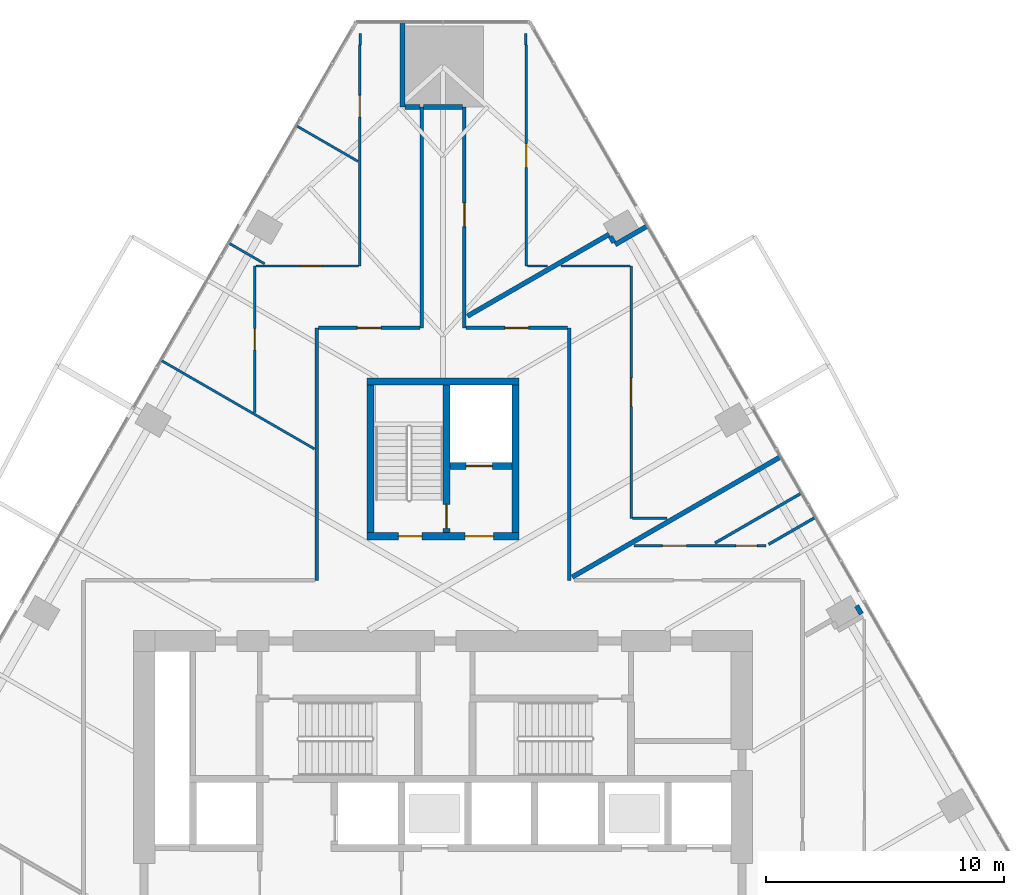
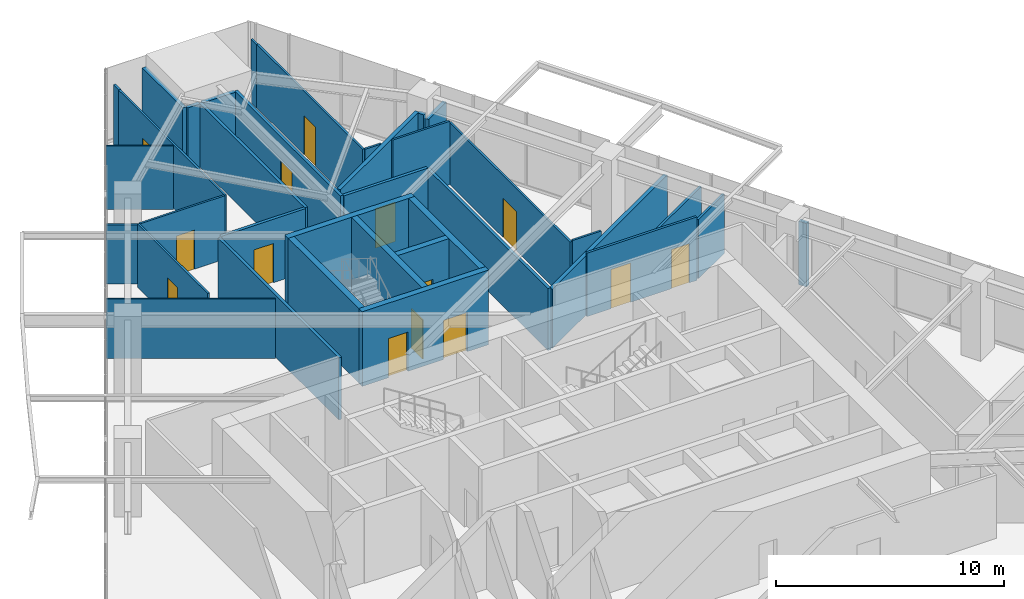
# One storey, part 19 of 22: 36 walls, 14 doors, 14 openings.
"""IFC4 building model written with IfcOpenShell, lengths in metres."""

from ifc_helpers import new_model, si_unit, direction, frame, frame_2d, origin, place, context, subcontext, project, spatial, rectangle, extrude, material, layer, layer_set, type_object, element, fill, save


model = new_model("IFC4")

# Units and contexts
model_context = context("Model", 3, precision=1e-05, world=origin(), true_north=direction((0.0, 1.0)))
body_context = subcontext(model_context, "Body", "Model", "MODEL_VIEW")
ifc_project = project(units=[si_unit("LENGTHUNIT", "METRE"), si_unit("AREAUNIT", "SQUARE_METRE"), si_unit("VOLUMEUNIT", "CUBIC_METRE"), si_unit("PLANEANGLEUNIT", "RADIAN"), si_unit("MASSUNIT", "GRAM", prefix="KILO")], contexts=[model_context])

# Site, building, storey
site_placement = place(None, origin())
site = spatial("IfcSite", under=ifc_project, at=site_placement, CompositionType="ELEMENT")
building_placement = place(site_placement, origin())
building = spatial("IfcBuilding", under=site, at=building_placement, Name="Firuza Gate Tower and Library", CompositionType="ELEMENT")
storey_placement = place(building_placement, frame((0.0, 0.0, 111.39990234375)))
storey = spatial("IfcBuildingStorey", under=building, at=storey_placement, Name="L25", CompositionType="ELEMENT", Elevation=111.39990234375)

# Wall, openings, doors
ifc_material_1 = material(Name="Concrete C80/95", Category="concrete")
ifc_layer_1 = layer(ifc_material_1, 0.300048828125)
ifc_layer_set_1 = layer_set([ifc_layer_1], Name="Core wall 300 C80/95")
wall_type_1 = type_object("IfcWallType", Name="Core wall 300 C80/95", PredefinedType="SHEAR", material=ifc_layer_set_1)
wall_1_placement = place(storey_placement, frame((71.800048828125, 87.949951171875, 0.0), z_axis=(0.0, 0.0, 1.0), x_axis=(1.0, 0.0, 0.0)))
wall_1 = element("IfcWall", 1, at=wall_1_placement, inside=storey, type_object=wall_type_1, Name="Core wall L25 34", PredefinedType="SHEAR", context=body_context, shape_type="SweptSolid", body=[
    extrude(rectangle(XDim=6.39990234375, YDim=0.300048828125, at=frame_2d((3.199951171875, 0.0))), origin(), (0.0, 0.0, 1.0), 4.0),
])
opening_1_placement = place(wall_1_placement, frame((1.324951171875, 0.0, 0.0)))
opening_1 = element("IfcOpeningElement", 2, at=opening_1_placement, cuts=wall_1, Name="Opening L25-K17", PredefinedType="OPENING", context=body_context, shape_type="SweptSolid", body=[
    extrude(rectangle(XDim=1.0, YDim=2.10009765625, at=frame_2d((0.5, 1.050048828125))), frame((0.0, 0.16015625, 0.0), z_axis=(0.0, -1.0, 0.0), x_axis=(1.0, 0.0, 0.0)), (0.0, 0.0, 1.0), 0.320068359375),
])
opening_2_placement = place(wall_1_placement, frame((4.125, 0.0, 0.0)))
opening_2 = element("IfcOpeningElement", 3, at=opening_2_placement, cuts=wall_1, Name="Opening L25-K19", PredefinedType="OPENING", context=body_context, shape_type="SweptSolid", body=[
    extrude(rectangle(XDim=1.199951171875, YDim=2.10009765625, at=frame_2d((0.60009765625, 1.050048828125))), frame((0.0, 0.16015625, 0.0), z_axis=(0.0, -1.0, 0.0), x_axis=(1.0, 0.0, 0.0)), (0.0, 0.0, 1.0), 0.320068359375),
])
ifc_material_2 = material(Name="Steel", Category="steel")
door_type_1 = type_object("IfcDoorType", Name="Fire door 1000x2100 FD90", OperationType="NOTDEFINED", PredefinedType="DOOR", material=ifc_material_2)
door_1_placement = place(opening_1_placement, origin())
door_1 = element("IfcDoor", 4, at=door_1_placement, inside=storey, type_object=door_type_1, Name="Door L25-K17", OperationType="SINGLE_SWING_RIGHT", OverallHeight=2.10009765625, OverallWidth=1.0, PredefinedType="DOOR", context=body_context, shape_type="SweptSolid", body=[
    extrude(rectangle(XDim=1.0, YDim=2.10009765625, at=frame_2d((0.5, 1.050048828125))), frame((0.0, 0.02490234375, 0.0), z_axis=(0.0, -1.0, 0.0), x_axis=(1.0, 0.0, 0.0)), (0.0, 0.0, 1.0), 0.050048828125),
])
fill(opening_1, door_1)
ifc_material_3 = material(Name="Steel", Category="steel")
door_type_2 = type_object("IfcDoorType", Name="Fire door 1200x2100 FD30S", OperationType="NOTDEFINED", PredefinedType="DOOR", material=ifc_material_3)
door_2_placement = place(opening_2_placement, origin())
door_2 = element("IfcDoor", 5, at=door_2_placement, inside=storey, type_object=door_type_2, Name="Door L25-K19", OperationType="SINGLE_SWING_RIGHT", OverallHeight=2.10009765625, OverallWidth=1.199951171875, PredefinedType="DOOR", context=body_context, shape_type="SweptSolid", body=[
    extrude(rectangle(XDim=1.199951171875, YDim=2.10009765625, at=frame_2d((0.60009765625, 1.050048828125))), frame((0.0, 0.02490234375, 0.0), z_axis=(0.0, -1.0, 0.0), x_axis=(1.0, 0.0, 0.0)), (0.0, 0.0, 1.0), 0.050048828125),
])
fill(opening_2, door_2)

# Walls
wall_2_placement = place(storey_placement, frame((71.800048828125, 94.449951171875, 0.0), z_axis=(0.0, 0.0, 1.0), x_axis=(1.0, 0.0, 0.0)))
element("IfcWall", 6, at=wall_2_placement, inside=storey, type_object=wall_type_1, Name="Core wall L25 35", PredefinedType="SHEAR", context=body_context, shape_type="SweptSolid", body=[
    extrude(rectangle(XDim=6.39990234375, YDim=0.300048828125, at=frame_2d((3.199951171875, 0.0))), origin(), (0.0, 0.0, 1.0), 4.0),
])
for number, where, z_axis, x_axis, name in (
    (7, (71.949951171875, 88.10009765625, 0.0), (0.0, 0.0, 1.0), (0.0, 1.0, 0.0), "Core wall L25 36"),
    (8, (78.050048828125, 88.10009765625, 0.0), (0.0, 0.0, 1.0), (0.0, 1.0, 0.0), "Core wall L25 37"),
):
    element("IfcWall", number, at=place(storey_placement, frame(where, z_axis=z_axis, x_axis=x_axis)), inside=storey, type_object=wall_type_1, Name=name, PredefinedType="SHEAR", context=body_context, shape_type="SweptSolid", body=[
        extrude(rectangle(XDim=6.199951171875, YDim=0.300048828125, at=frame_2d((3.10009765625, 0.0))), origin(), (0.0, 0.0, 1.0), 4.0),
    ])

# Wall, opening, door
wall_3_placement = place(storey_placement, frame((75.300048828125, 90.89990234375, 0.0), z_axis=(0.0, 0.0, 1.0), x_axis=(1.0, 0.0, 0.0)))
wall_3 = element("IfcWall", 9, at=wall_3_placement, inside=storey, type_object=wall_type_1, Name="Core wall L25 38", PredefinedType="SHEAR", context=body_context, shape_type="SweptSolid", body=[
    extrude(rectangle(XDim=2.599853515625, YDim=0.300048828125, at=frame_2d((1.2998046875, 0.0))), origin(), (0.0, 0.0, 1.0), 4.0),
])
opening_3_placement = place(wall_3_placement, frame((0.675048828125, 0.0, 0.0)))
opening_3 = element("IfcOpeningElement", 10, at=opening_3_placement, cuts=wall_3, Name="Opening LD-SV1-L25", PredefinedType="OPENING", context=body_context, shape_type="SweptSolid", body=[
    extrude(rectangle(XDim=1.10009765625, YDim=2.10009765625, at=frame_2d((0.550048828125, 1.050048828125))), frame((0.0, 0.16015625, 0.0), z_axis=(0.0, -1.0, 0.0), x_axis=(1.0, 0.0, 0.0)), (0.0, 0.0, 1.0), 0.320068359375),
])
ifc_material_4 = material(Name="Stainless steel", Category="steel")
door_type_3 = type_object("IfcDoorType", Name="Lift landing door 1100x2100", OperationType="DOUBLE_DOOR_SLIDING", PredefinedType="DOOR", material=ifc_material_4)
door_3_placement = place(opening_3_placement, origin())
door_3 = element("IfcDoor", 11, at=door_3_placement, inside=storey, type_object=door_type_3, Name="Landing door SV1 L25", OperationType="DOUBLE_DOOR_SLIDING", OverallHeight=2.10009765625, OverallWidth=1.10009765625, PredefinedType="DOOR", context=body_context, shape_type="SweptSolid", body=[
    extrude(rectangle(XDim=1.10009765625, YDim=2.10009765625, at=frame_2d((0.550048828125, 1.050048828125))), frame((0.0, 0.02490234375, 0.0), z_axis=(0.0, -1.0, 0.0), x_axis=(1.0, 0.0, 0.0)), (0.0, 0.0, 1.0), 0.050048828125),
])
fill(opening_3, door_3)

wall_4_placement = place(storey_placement, frame((75.14990234375, 88.10009765625, 0.0), z_axis=(0.0, 0.0, 1.0), x_axis=(0.0, 1.0, 0.0)))
wall_4 = element("IfcWall", 12, at=wall_4_placement, inside=storey, type_object=wall_type_1, Name="Core wall L25 39", PredefinedType="SHEAR", context=body_context, shape_type="SweptSolid", body=[
    extrude(rectangle(XDim=6.199951171875, YDim=0.300048828125, at=frame_2d((3.10009765625, 0.0))), origin(), (0.0, 0.0, 1.0), 4.0),
])
opening_4_placement = place(wall_4_placement, frame((0.18505859375, 0.0, 0.0)))
opening_4 = element("IfcOpeningElement", 13, at=opening_4_placement, cuts=wall_4, Name="Opening L25-K18", PredefinedType="OPENING", context=body_context, shape_type="SweptSolid", body=[
    extrude(rectangle(XDim=1.0, YDim=2.10009765625, at=frame_2d((0.5, 1.050048828125))), frame((0.0, 0.16015625, 0.0), z_axis=(0.0, -1.0, 0.0), x_axis=(1.0, 0.0, 0.0)), (0.0, 0.0, 1.0), 0.320068359375),
])
door_4_placement = place(opening_4_placement, origin())
door_4 = element("IfcDoor", 14, at=door_4_placement, inside=storey, type_object=door_type_1, Name="Door L25-K18", OperationType="SINGLE_SWING_LEFT", OverallHeight=2.10009765625, OverallWidth=1.0, PredefinedType="DOOR", context=body_context, shape_type="SweptSolid", body=[
    extrude(rectangle(XDim=1.0, YDim=2.10009765625, at=frame_2d((0.5, 1.050048828125))), frame((0.0, 0.02490234375, 0.0), z_axis=(0.0, -1.0, 0.0), x_axis=(1.0, 0.0, 0.0)), (0.0, 0.0, 1.0), 0.050048828125),
])
fill(opening_4, door_4)

ifc_material_5 = material(Name="Gypsum board partition")
ifc_layer_2 = layer(ifc_material_5, 0.14990234375)
ifc_layer_set_2 = layer_set([ifc_layer_2], Name="Corridor wall 150 double board on steel studs")
wall_type_2 = type_object("IfcWallType", Name="Corridor wall 150 double board on steel studs", PredefinedType="PARTITIONING", material=ifc_layer_set_2)
wall_5_placement = place(storey_placement, frame((69.775390625, 96.699951171875, 0.0), z_axis=(0.0, 0.0, 1.0), x_axis=(1.0, 0.0, 0.0)))
wall_5 = element("IfcWall", 15, at=wall_5_placement, inside=storey, type_object=wall_type_2, Name="f:L25:w006", PredefinedType="PARTITIONING", context=body_context, shape_type="SweptSolid", body=[
    extrude(rectangle(XDim=4.24951171875, YDim=0.14990234375, at=frame_2d((2.124755859375, 0.0))), origin(), (0.0, 0.0, 1.0), 3.400146484375),
])
opening_5_placement = place(wall_5_placement, frame((1.624755859375, 0.0, 0.0)))
opening_5 = element("IfcOpeningElement", 16, at=opening_5_placement, cuts=wall_5, Name="Opening L25-08", PredefinedType="OPENING", context=body_context, shape_type="SweptSolid", body=[
    extrude(rectangle(XDim=1.0, YDim=2.10009765625, at=frame_2d((0.5, 1.050048828125))), frame((0.0, 0.0849609375, 0.0), z_axis=(0.0, -1.0, 0.0), x_axis=(1.0, 0.0, 0.0)), (0.0, 0.0, 1.0), 0.169921875),
])
ifc_material_6 = material(Name="Steel door and timber leaf", Category="steel")
door_type_4 = type_object("IfcDoorType", Name="Fire door 1000 x 2100 steel frame, timber leaf", OperationType="NOTDEFINED", PredefinedType="DOOR", material=ifc_material_6)
door_5_placement = place(opening_5_placement, origin())
door_5 = element("IfcDoor", 17, at=door_5_placement, inside=storey, type_object=door_type_4, Name="f:L25:d008", OperationType="SINGLE_SWING_RIGHT", OverallHeight=2.10009765625, OverallWidth=1.0, PredefinedType="DOOR", context=body_context, shape_type="SweptSolid", body=[
    extrude(rectangle(XDim=1.0, YDim=2.10009765625, at=frame_2d((0.5, 1.050048828125))), frame((0.0, 0.02490234375, 0.0), z_axis=(0.0, -1.0, 0.0), x_axis=(1.0, 0.0, 0.0)), (0.0, 0.0, 1.0), 0.050048828125),
])
fill(opening_5, door_5)

wall_6_placement = place(storey_placement, frame((80.22509765625, 96.699951171875, 0.0), z_axis=(0.0, 0.0, 1.0), x_axis=(-1.0, 0.0, 0.0)))
wall_6 = element("IfcWall", 18, at=wall_6_placement, inside=storey, type_object=wall_type_2, Name="f:L25:w007", PredefinedType="PARTITIONING", context=body_context, shape_type="SweptSolid", body=[
    extrude(rectangle(XDim=4.25, YDim=0.14990234375, at=frame_2d((2.125, 0.0))), origin(), (0.0, 0.0, 1.0), 3.400146484375),
])
opening_6_placement = place(wall_6_placement, frame((1.625, 0.0, 0.0)))
opening_6 = element("IfcOpeningElement", 19, at=opening_6_placement, cuts=wall_6, Name="Opening L25-09", PredefinedType="OPENING", context=body_context, shape_type="SweptSolid", body=[
    extrude(rectangle(XDim=1.0, YDim=2.10009765625, at=frame_2d((0.5, 1.050048828125))), frame((0.0, 0.0849609375, 0.0), z_axis=(0.0, -1.0, 0.0), x_axis=(1.0, 0.0, 0.0)), (0.0, 0.0, 1.0), 0.169921875),
])
door_6_placement = place(opening_6_placement, origin())
door_6 = element("IfcDoor", 20, at=door_6_placement, inside=storey, type_object=door_type_4, Name="f:L25:d009", OperationType="SINGLE_SWING_RIGHT", OverallHeight=2.10009765625, OverallWidth=1.0, PredefinedType="DOOR", context=body_context, shape_type="SweptSolid", body=[
    extrude(rectangle(XDim=1.0, YDim=2.10009765625, at=frame_2d((0.5, 1.050048828125))), frame((0.0, 0.02490234375, 0.0), z_axis=(0.0, -1.0, 0.0), x_axis=(1.0, 0.0, 0.0)), (0.0, 0.0, 1.0), 0.050048828125),
])
fill(opening_6, door_6)

# Wall
wall_7_placement = place(storey_placement, frame((80.300048828125, 86.10009765625, 0.0), z_axis=(0.0, 0.0, 1.0), x_axis=(0.0, 1.0, 0.0)))
element("IfcWall", 21, at=wall_7_placement, inside=storey, type_object=wall_type_2, Name="f:L25:w035", PredefinedType="PARTITIONING", context=body_context, shape_type="SweptSolid", body=[
    extrude(rectangle(XDim=10.599853515625, YDim=0.14990234375, at=frame_2d((5.2998046875, 0.0))), origin(), (0.0, 0.0, 1.0), 3.322021484375),
])

# Wall, opening, door
wall_8_placement = place(storey_placement, frame((75.89990234375, 105.98193359375, 0.0), z_axis=(0.0, 0.0, 1.0), x_axis=(0.0, -1.0, 0.0)))
wall_8 = element("IfcWall", 22, at=wall_8_placement, inside=storey, type_object=wall_type_2, Name="f:L25:w039", PredefinedType="PARTITIONING", context=body_context, shape_type="SweptSolid", body=[
    extrude(rectangle(XDim=9.281982421875, YDim=0.14990234375, at=frame_2d((4.64111328125, 0.0))), origin(), (0.0, 0.0, 1.0), 3.400146484375),
])
opening_7_placement = place(wall_8_placement, frame((4.03125, 0.0, 0.0)))
opening_7 = element("IfcOpeningElement", 23, at=opening_7_placement, cuts=wall_8, Name="Opening L25-20", PredefinedType="OPENING", context=body_context, shape_type="SweptSolid", body=[
    extrude(rectangle(XDim=1.0, YDim=2.10009765625, at=frame_2d((0.5, 1.050048828125))), frame((0.0, 0.0849609375, 0.0), z_axis=(0.0, -1.0, 0.0), x_axis=(1.0, 0.0, 0.0)), (0.0, 0.0, 1.0), 0.169921875),
])
door_7_placement = place(opening_7_placement, origin())
door_7 = element("IfcDoor", 24, at=door_7_placement, inside=storey, type_object=door_type_4, Name="f:L25:d020", OperationType="SINGLE_SWING_RIGHT", OverallHeight=2.10009765625, OverallWidth=1.0, PredefinedType="DOOR", context=body_context, shape_type="SweptSolid", body=[
    extrude(rectangle(XDim=1.0, YDim=2.10009765625, at=frame_2d((0.5, 1.050048828125))), frame((0.0, 0.02490234375, 0.0), z_axis=(0.0, -1.0, 0.0), x_axis=(1.0, 0.0, 0.0)), (0.0, 0.0, 1.0), 0.050048828125),
])
fill(opening_7, door_7)

# Walls
wall_9_placement = place(storey_placement, frame((74.10009765625, 96.699951171875, 0.0), z_axis=(0.0, 0.0, 1.0), x_axis=(0.0, 1.0, 0.0)))
element("IfcWall", 25, at=wall_9_placement, inside=storey, type_object=wall_type_2, Name="f:L25:w040", PredefinedType="PARTITIONING", context=body_context, shape_type="SweptSolid", body=[
    extrude(rectangle(XDim=9.282470703125, YDim=0.14990234375, at=frame_2d((4.64111328125, 0.0))), origin(), (0.0, 0.0, 1.0), 3.400146484375),
])
wall_10_placement = place(storey_placement, frame((69.699951171875, 86.10009765625, 0.0), z_axis=(0.0, 0.0, 1.0), x_axis=(0.0, 1.0, 0.0)))
element("IfcWall", 26, at=wall_10_placement, inside=storey, type_object=wall_type_2, Name="f:L25:w044", PredefinedType="PARTITIONING", context=body_context, shape_type="SweptSolid", body=[
    extrude(rectangle(XDim=10.599365234375, YDim=0.14990234375, at=frame_2d((5.2998046875, 0.0))), origin(), (0.0, 0.0, 1.0), 3.322021484375),
])
ifc_material_7 = material(Name="Gypsum board partition")
ifc_layer_3 = layer(ifc_material_7, 0.199951171875)
ifc_layer_set_3 = layer_set([ifc_layer_3], Name="Demising wall 200 acoustic double stud")
wall_type_3 = type_object("IfcWallType", Name="Demising wall 200 acoustic double stud", PredefinedType="PARTITIONING", material=ifc_layer_set_3)
wall_11_placement = place(storey_placement, frame((73.400390625, 105.98193359375, 0.0), z_axis=(0.0, 0.0, 1.0), x_axis=(1.0, 0.0, 0.0)))
element("IfcWall", 27, at=wall_11_placement, inside=storey, type_object=wall_type_3, Name="f:L25:w010", PredefinedType="PARTITIONING", context=body_context, shape_type="SweptSolid", body=[
    extrude(rectangle(XDim=0.62451171875, YDim=0.199951171875, at=frame_2d((0.312255859375, 0.0))), origin(), (0.0, 0.0, 1.0), 3.400146484375),
])
wall_12_placement = place(storey_placement, frame((80.4267578125, 86.234619140625, 0.0), z_axis=(0.0, 0.0, 1.0), x_axis=(0.8660229921, 0.500004177138, 0.0)))
element("IfcWall", 28, at=wall_12_placement, inside=storey, type_object=wall_type_3, Name="f:L25:w021", PredefinedType="PARTITIONING", context=body_context, shape_type="SweptSolid", body=[
    extrude(rectangle(XDim=10.10205078125, YDim=0.199951171875, at=frame_2d((5.051025390625, 0.0))), origin(), (0.0, 0.0, 1.0), 3.1650390625),
])
wall_13_placement = place(storey_placement, frame((82.228759765625, 100.198486328125, 0.0), z_axis=(0.0, 0.0, 1.0), x_axis=(0.866086524807, 0.499894120338, 0.0)))
element("IfcWall", 29, at=wall_13_placement, inside=storey, type_object=wall_type_3, Name="f:L25:w022", PredefinedType="PARTITIONING", context=body_context, shape_type="SweptSolid", body=[
    extrude(rectangle(XDim=1.559326171875, YDim=0.199951171875, at=frame_2d((0.77978515625, 0.0))), origin(), (0.0, 0.0, 1.0), 3.1650390625),
])
wall_14_placement = place(storey_placement, frame((76.027099609375, 97.1953125, 0.0), z_axis=(0.0, 0.0, 1.0), x_axis=(0.866030564923, 0.49999106054, 0.0)))
element("IfcWall", 30, at=wall_14_placement, inside=storey, type_object=wall_type_3, Name="f:L25:w023", PredefinedType="PARTITIONING", context=body_context, shape_type="SweptSolid", body=[
    extrude(rectangle(XDim=6.871337890625, YDim=0.199951171875, at=frame_2d((3.435546875, 0.0))), origin(), (0.0, 0.0, 1.0), 3.400146484375),
])
wall_15_placement = place(storey_placement, frame((73.300048828125, 105.98291015625, 0.0), z_axis=(0.0, 0.0, 1.0), x_axis=(0.0, 1.0, 0.0)))
element("IfcWall", 31, at=wall_15_placement, inside=storey, type_object=wall_type_3, Name="f:L25:w041", PredefinedType="PARTITIONING", context=body_context, shape_type="SweptSolid", body=[
    extrude(rectangle(XDim=3.5595703125, YDim=0.199951171875, at=frame_2d((1.77978515625, 0.0))), origin(), (0.0, 0.0, 1.0), 3.400146484375),
])
wall_16_placement = place(storey_placement, frame((92.571533203125, 84.68359375, 0.0), z_axis=(0.0, 0.0, 1.0), x_axis=(-0.500216468111, 0.865900389786, 0.0)))
element("IfcWall", 32, at=wall_16_placement, inside=storey, type_object=wall_type_3, Name="f:L25:w050", PredefinedType="PARTITIONING", context=body_context, shape_type="SweptSolid", body=[
    extrude(rectangle(XDim=0.399169921875, YDim=0.199951171875, at=frame_2d((0.19970703125, 0.0))), origin(), (0.0, 0.0, 1.0), 3.400146484375),
])
wall_17_placement = place(storey_placement, frame((82.177978515625, 100.28564453125, 0.0), z_axis=(0.0, 0.0, 1.0), x_axis=(-0.500005339912, 0.866022320763, 0.0)))
element("IfcWall", 33, at=wall_17_placement, inside=storey, type_object=wall_type_3, Name="f:L25:w052", PredefinedType="PARTITIONING", context=body_context, shape_type="SweptSolid", body=[
    extrude(rectangle(XDim=0.298828125, YDim=0.199951171875, at=frame_2d((0.1494140625, 0.0))), origin(), (0.0, 0.0, 1.0), 3.400146484375),
])
wall_18_placement = place(storey_placement, frame((74.175048828125, 105.98193359375, 0.0), z_axis=(0.0, 0.0, 1.0), x_axis=(1.0, 0.0, 0.0)))
element("IfcWall", 34, at=wall_18_placement, inside=storey, type_object=wall_type_3, Name="f:L25:w069", PredefinedType="PARTITIONING", context=body_context, shape_type="SweptSolid", body=[
    extrude(rectangle(XDim=1.6494140625, YDim=0.199951171875, at=frame_2d((0.82470703125, 0.0))), origin(), (0.0, 0.0, 1.0), 3.397216796875),
])
ifc_material_8 = material(Name="Gypsum board partition")
ifc_layer_4 = layer(ifc_material_8, 0.10009765625)
ifc_layer_set_4 = layer_set([ifc_layer_4], Name="Partition 100 gypsum board on steel studs")
wall_type_4 = type_object("IfcWallType", Name="Partition 100 gypsum board on steel studs", PredefinedType="PARTITIONING", material=ifc_layer_set_4)
wall_19_placement = place(storey_placement, frame((82.949951171875, 88.699951171875, 0.0), z_axis=(0.0, 0.0, 1.0), x_axis=(1.0, 0.0, 0.0)))
element("IfcWall", 35, at=wall_19_placement, inside=storey, type_object=wall_type_4, Name="f:L25:w005", PredefinedType="PARTITIONING", context=body_context, shape_type="SweptSolid", body=[
    extrude(rectangle(XDim=1.457763671875, YDim=0.10009765625, at=frame_2d((0.72900390625, 0.0))), origin(), (0.0, 0.0, 1.0), 3.400146484375),
])

# Wall, opening, door
wall_20_placement = place(storey_placement, frame((67.14990234375, 99.300048828125, 0.0), z_axis=(0.0, 0.0, 1.0), x_axis=(1.0, 0.0, 0.0)))
wall_20 = element("IfcWall", 36, at=wall_20_placement, inside=storey, type_object=wall_type_4, Name="f:L25:w008", PredefinedType="PARTITIONING", context=body_context, shape_type="SweptSolid", body=[
    extrude(rectangle(XDim=4.300048828125, YDim=0.10009765625, at=frame_2d((2.14990234375, 0.0))), origin(), (0.0, 0.0, 1.0), 3.400146484375),
])
opening_8_placement = place(wall_20_placement, frame((1.85693359375, 0.0, 0.0)))
opening_8 = element("IfcOpeningElement", 37, at=opening_8_placement, cuts=wall_20, Name="Opening L25-10", PredefinedType="OPENING", context=body_context, shape_type="SweptSolid", body=[
    extrude(rectangle(XDim=0.89990234375, YDim=2.10009765625, at=frame_2d((0.449951171875, 1.050048828125))), frame((0.0, 0.06005859375, 0.0), z_axis=(0.0, -1.0, 0.0), x_axis=(1.0, 0.0, 0.0)), (0.0, 0.0, 1.0), 0.1201171875),
])
ifc_material_9 = material(Name="Timber door", Category="wood")
door_type_5 = type_object("IfcDoorType", Name="Door 900 x 2100 timber leaf", OperationType="NOTDEFINED", PredefinedType="DOOR", material=ifc_material_9)
door_8_placement = place(opening_8_placement, origin())
door_8 = element("IfcDoor", 38, at=door_8_placement, inside=storey, type_object=door_type_5, Name="f:L25:d010", OperationType="SINGLE_SWING_RIGHT", OverallHeight=2.10009765625, OverallWidth=0.89990234375, PredefinedType="DOOR", context=body_context, shape_type="SweptSolid", body=[
    extrude(rectangle(XDim=0.89990234375, YDim=2.10009765625, at=frame_2d((0.449951171875, 1.050048828125))), frame((0.0, 0.02490234375, 0.0), z_axis=(0.0, -1.0, 0.0), x_axis=(1.0, 0.0, 0.0)), (0.0, 0.0, 1.0), 0.050048828125),
])
fill(opening_8, door_8)

# Wall
wall_21_placement = place(storey_placement, frame((78.550537109375, 99.300048828125, 0.0), z_axis=(0.0, 0.0, 1.0), x_axis=(1.0, 0.0, 0.0)))
element("IfcWall", 39, at=wall_21_placement, inside=storey, type_object=wall_type_4, Name="f:L25:w009", PredefinedType="PARTITIONING", context=body_context, shape_type="SweptSolid", body=[
    extrude(rectangle(XDim=0.83544921875, YDim=0.10009765625, at=frame_2d((0.417724609375, 0.0))), origin(), (0.0, 0.0, 1.0), 3.400146484375),
])

# Wall, opening, door
wall_22_placement = place(storey_placement, frame((82.89990234375, 88.699951171875, 0.0), z_axis=(0.0, 0.0, 1.0), x_axis=(0.0, 1.0, 0.0)))
wall_22 = element("IfcWall", 40, at=wall_22_placement, inside=storey, type_object=wall_type_4, Name="f:L25:w034", PredefinedType="PARTITIONING", context=body_context, shape_type="SweptSolid", body=[
    extrude(rectangle(XDim=10.60009765625, YDim=0.10009765625, at=frame_2d((5.300048828125, 0.0))), origin(), (0.0, 0.0, 1.0), 3.322021484375),
])
opening_9_placement = place(wall_22_placement, frame((4.699951171875, 0.0, 0.0)))
opening_9 = element("IfcOpeningElement", 41, at=opening_9_placement, cuts=wall_22, Name="Opening L25-18", PredefinedType="OPENING", context=body_context, shape_type="SweptSolid", body=[
    extrude(rectangle(XDim=1.199951171875, YDim=2.10009765625, at=frame_2d((0.60009765625, 1.050048828125))), frame((0.0, 0.06005859375, 0.0), z_axis=(0.0, -1.0, 0.0), x_axis=(1.0, 0.0, 0.0)), (0.0, 0.0, 1.0), 0.1201171875),
])
ifc_material_10 = material(Name="Glazed aluminium door", Category="aluminium")
door_type_6 = type_object("IfcDoorType", Name="Door 1200 x 2100 glazed double leaf", OperationType="NOTDEFINED", PredefinedType="DOOR", material=ifc_material_10)
door_9_placement = place(opening_9_placement, origin())
door_9 = element("IfcDoor", 42, at=door_9_placement, inside=storey, type_object=door_type_6, Name="f:L25:d018", OperationType="DOUBLE_DOOR_SINGLE_SWING", OverallHeight=2.10009765625, OverallWidth=1.199951171875, PredefinedType="DOOR", context=body_context, shape_type="SweptSolid", body=[
    extrude(rectangle(XDim=1.199951171875, YDim=2.10009765625, at=frame_2d((0.60009765625, 1.050048828125))), frame((0.0, 0.02490234375, 0.0), z_axis=(0.0, -1.0, 0.0), x_axis=(1.0, 0.0, 0.0)), (0.0, 0.0, 1.0), 0.050048828125),
])
fill(opening_9, door_9)

wall_23_placement = place(storey_placement, frame((78.5, 99.300537109375, 0.0), z_axis=(0.0, 0.0, 1.0), x_axis=(0.0, 1.0, 0.0)))
wall_23 = element("IfcWall", 43, at=wall_23_placement, inside=storey, type_object=wall_type_4, Name="f:L25:w036", PredefinedType="PARTITIONING", context=body_context, shape_type="SweptSolid", body=[
    extrude(rectangle(XDim=9.28173828125, YDim=0.10009765625, at=frame_2d((4.640869140625, 0.0))), origin(), (0.0, 0.0, 1.0), 3.400146484375),
])
opening_10_placement = place(wall_23_placement, frame((4.140869140625, 0.0, 0.0)))
opening_10 = element("IfcOpeningElement", 44, at=opening_10_placement, cuts=wall_23, Name="Opening L25-19", PredefinedType="OPENING", context=body_context, shape_type="SweptSolid", body=[
    extrude(rectangle(XDim=1.0, YDim=2.10009765625, at=frame_2d((0.5, 1.050048828125))), frame((0.0, 0.06005859375, 0.0), z_axis=(0.0, -1.0, 0.0), x_axis=(1.0, 0.0, 0.0)), (0.0, 0.0, 1.0), 0.1201171875),
])
ifc_material_11 = material(Name="Timber door", Category="wood")
door_type_7 = type_object("IfcDoorType", Name="Door 1000 x 2100 timber leaf", OperationType="NOTDEFINED", PredefinedType="DOOR", material=ifc_material_11)
door_10_placement = place(opening_10_placement, origin())
door_10 = element("IfcDoor", 45, at=door_10_placement, inside=storey, type_object=door_type_7, Name="f:L25:d019", OperationType="SINGLE_SWING_RIGHT", OverallHeight=2.10009765625, OverallWidth=1.0, PredefinedType="DOOR", context=body_context, shape_type="SweptSolid", body=[
    extrude(rectangle(XDim=1.0, YDim=2.10009765625, at=frame_2d((0.5, 1.050048828125))), frame((0.0, 0.02490234375, 0.0), z_axis=(0.0, -1.0, 0.0), x_axis=(1.0, 0.0, 0.0)), (0.0, 0.0, 1.0), 0.050048828125),
])
fill(opening_10, door_10)

# Walls
wall_24_placement = place(storey_placement, frame((78.48095703125, 108.5830078125, 0.0), z_axis=(0.0, 0.0, 1.0), x_axis=(0.0, 1.0, 0.0)))
element("IfcWall", 46, at=wall_24_placement, inside=storey, type_object=wall_type_4, Name="f:L25:w037", PredefinedType="PARTITIONING", context=body_context, shape_type="SweptSolid", body=[
    extrude(rectangle(XDim=0.47265625, YDim=0.10009765625, at=frame_2d((0.236328125, 0.0))), origin(), (0.0, 0.0, 1.0), 3.400146484375),
])
wall_25_placement = place(storey_placement, frame((71.51904296875, 108.58251953125, 0.0), z_axis=(0.0, 0.0, 1.0), x_axis=(0.0, 1.0, 0.0)))
element("IfcWall", 47, at=wall_25_placement, inside=storey, type_object=wall_type_4, Name="f:L25:w042", PredefinedType="PARTITIONING", context=body_context, shape_type="SweptSolid", body=[
    extrude(rectangle(XDim=0.47314453125, YDim=0.10009765625, at=frame_2d((0.236572265625, 0.0))), origin(), (0.0, 0.0, 1.0), 3.400146484375),
])

# Wall, opening, door
wall_26_placement = place(storey_placement, frame((71.5, 99.300048828125, 0.0), z_axis=(0.0, 0.0, 1.0), x_axis=(0.0, 1.0, 0.0)))
wall_26 = element("IfcWall", 48, at=wall_26_placement, inside=storey, type_object=wall_type_4, Name="f:L25:w043", PredefinedType="PARTITIONING", context=body_context, shape_type="SweptSolid", body=[
    extrude(rectangle(XDim=9.28173828125, YDim=0.10009765625, at=frame_2d((4.640869140625, 0.0))), origin(), (0.0, 0.0, 1.0), 3.400146484375),
])
opening_11_placement = place(wall_26_placement, frame((6.26708984375, 0.0, 0.0)))
opening_11 = element("IfcOpeningElement", 49, at=opening_11_placement, cuts=wall_26, Name="Opening L25-21", PredefinedType="OPENING", context=body_context, shape_type="SweptSolid", body=[
    extrude(rectangle(XDim=0.89990234375, YDim=2.10009765625, at=frame_2d((0.449951171875, 1.050048828125))), frame((0.0, 0.06005859375, 0.0), z_axis=(0.0, -1.0, 0.0), x_axis=(1.0, 0.0, 0.0)), (0.0, 0.0, 1.0), 0.1201171875),
])
door_11_placement = place(opening_11_placement, origin())
door_11 = element("IfcDoor", 50, at=door_11_placement, inside=storey, type_object=door_type_5, Name="f:L25:d021", OperationType="SINGLE_SWING_LEFT", OverallHeight=2.10009765625, OverallWidth=0.89990234375, PredefinedType="DOOR", context=body_context, shape_type="SweptSolid", body=[
    extrude(rectangle(XDim=0.89990234375, YDim=2.10009765625, at=frame_2d((0.449951171875, 1.050048828125))), frame((0.0, 0.02490234375, 0.0), z_axis=(0.0, -1.0, 0.0), x_axis=(1.0, 0.0, 0.0)), (0.0, 0.0, 1.0), 0.050048828125),
])
fill(opening_11, door_11)

wall_27_placement = place(storey_placement, frame((67.10009765625, 99.300048828125, 0.0), z_axis=(0.0, 0.0, 1.0), x_axis=(0.0, -1.0, 0.0)))
wall_27 = element("IfcWall", 51, at=wall_27_placement, inside=storey, type_object=wall_type_4, Name="f:L25:w045", PredefinedType="PARTITIONING", context=body_context, shape_type="SweptSolid", body=[
    extrude(rectangle(XDim=6.149658203125, YDim=0.10009765625, at=frame_2d((3.07470703125, 0.0))), origin(), (0.0, 0.0, 1.0), 3.400146484375),
])
opening_12_placement = place(wall_27_placement, frame((2.624755859375, 0.0, 0.0)))
opening_12 = element("IfcOpeningElement", 52, at=opening_12_placement, cuts=wall_27, Name="Opening L25-22", PredefinedType="OPENING", context=body_context, shape_type="SweptSolid", body=[
    extrude(rectangle(XDim=0.89990234375, YDim=2.10009765625, at=frame_2d((0.449951171875, 1.050048828125))), frame((0.0, 0.06005859375, 0.0), z_axis=(0.0, -1.0, 0.0), x_axis=(1.0, 0.0, 0.0)), (0.0, 0.0, 1.0), 0.1201171875),
])
door_12_placement = place(opening_12_placement, origin())
door_12 = element("IfcDoor", 53, at=door_12_placement, inside=storey, type_object=door_type_5, Name="f:L25:d022", OperationType="SINGLE_SWING_RIGHT", OverallHeight=2.10009765625, OverallWidth=0.89990234375, PredefinedType="DOOR", context=body_context, shape_type="SweptSolid", body=[
    extrude(rectangle(XDim=0.89990234375, YDim=2.10009765625, at=frame_2d((0.449951171875, 1.050048828125))), frame((0.0, 0.02490234375, 0.0), z_axis=(0.0, -1.0, 0.0), x_axis=(1.0, 0.0, 0.0)), (0.0, 0.0, 1.0), 0.050048828125),
])
fill(opening_12, door_12)

# Walls
wall_28_placement = place(storey_placement, frame((71.424072265625, 103.698974609375, 0.0), z_axis=(0.0, 0.0, 1.0), x_axis=(-0.866010510293, 0.500025795397, 0.0)))
element("IfcWall", 54, at=wall_28_placement, inside=storey, type_object=wall_type_4, Name="f:L25:w054", PredefinedType="PARTITIONING", context=body_context, shape_type="SweptSolid", body=[
    extrude(rectangle(XDim=2.972412109375, YDim=0.10009765625, at=frame_2d((1.486328125, 0.0))), origin(), (0.0, 0.0, 1.0), 3.400146484375),
])
wall_29_placement = place(storey_placement, frame((67.50537109375, 99.394775390625, 0.0), z_axis=(0.0, 0.0, 1.0), x_axis=(-0.866021168401, 0.500007335828, 0.0)))
element("IfcWall", 55, at=wall_29_placement, inside=storey, type_object=wall_type_4, Name="f:L25:w055", PredefinedType="PARTITIONING", context=body_context, shape_type="SweptSolid", body=[
    extrude(rectangle(XDim=1.73095703125, YDim=0.10009765625, at=frame_2d((0.865478515625, 0.0))), origin(), (0.0, 0.0, 1.0), 3.1650390625),
])
wall_30_placement = place(storey_placement, frame((69.59912109375, 91.6201171875, 0.0), z_axis=(0.0, 0.0, 1.0), x_axis=(-0.866018724091, 0.500011569389, 0.0)))
element("IfcWall", 56, at=wall_30_placement, inside=storey, type_object=wall_type_4, Name="f:L25:w056", PredefinedType="PARTITIONING", context=body_context, shape_type="SweptSolid", body=[
    extrude(rectangle(XDim=7.431396484375, YDim=0.10009765625, at=frame_2d((3.7158203125, 0.0))), origin(), (0.0, 0.0, 1.0), 3.1650390625),
])
wall_31_placement = place(storey_placement, frame((79.959228515625, 99.300048828125, 0.0), z_axis=(0.0, 0.0, 1.0), x_axis=(1.0, 0.0, 0.0)))
element("IfcWall", 57, at=wall_31_placement, inside=storey, type_object=wall_type_4, Name="f:L25:w068", PredefinedType="PARTITIONING", context=body_context, shape_type="SweptSolid", body=[
    extrude(rectangle(XDim=2.890869140625, YDim=0.10009765625, at=frame_2d((1.4453125, 0.0))), origin(), (0.0, 0.0, 1.0), 3.400146484375),
])

# Wall, openings, doors
ifc_material_12 = material(Name="Gypsum board partition")
ifc_layer_5 = layer(ifc_material_12, 0.1201171875)
ifc_layer_set_5 = layer_set([ifc_layer_5], Name="Wet-area partition 120 moisture-resistant board")
wall_type_5 = type_object("IfcWallType", Name="Wet-area partition 120 moisture-resistant board", PredefinedType="PARTITIONING", material=ifc_layer_set_5)
wall_32_placement = place(storey_placement, frame((88.570556640625, 87.550048828125, 0.0), z_axis=(0.0, 0.0, 1.0), x_axis=(-1.0, 0.0, 0.0)))
wall_32 = element("IfcWall", 58, at=wall_32_placement, inside=storey, type_object=wall_type_5, Name="f:L25:w004", PredefinedType="PARTITIONING", context=body_context, shape_type="SweptSolid", body=[
    extrude(rectangle(XDim=5.554443359375, YDim=0.1201171875, at=frame_2d((2.77734375, 0.0))), origin(), (0.0, 0.0, 1.0), 3.400146484375),
])
opening_13_placement = place(wall_32_placement, frame((0.37451171875, 0.0, 0.0)))
opening_13 = element("IfcOpeningElement", 59, at=opening_13_placement, cuts=wall_32, Name="Opening L25-06", PredefinedType="OPENING", context=body_context, shape_type="SweptSolid", body=[
    extrude(rectangle(XDim=0.89990234375, YDim=2.10009765625, at=frame_2d((0.449951171875, 1.050048828125))), frame((0.0, 0.070068359375, 0.0), z_axis=(0.0, -1.0, 0.0), x_axis=(1.0, 0.0, 0.0)), (0.0, 0.0, 1.0), 0.14013671875),
])
opening_14_placement = place(wall_32_placement, frame((3.34716796875, 0.0, 0.0)))
opening_14 = element("IfcOpeningElement", 60, at=opening_14_placement, cuts=wall_32, Name="Opening L25-07", PredefinedType="OPENING", context=body_context, shape_type="SweptSolid", body=[
    extrude(rectangle(XDim=1.0, YDim=2.10009765625, at=frame_2d((0.5, 1.050048828125))), frame((0.0, 0.070068359375, 0.0), z_axis=(0.0, -1.0, 0.0), x_axis=(1.0, 0.0, 0.0)), (0.0, 0.0, 1.0), 0.14013671875),
])
door_13_placement = place(opening_14_placement, origin())
door_13 = element("IfcDoor", 61, at=door_13_placement, inside=storey, type_object=door_type_7, Name="f:L25:d007", OperationType="SINGLE_SWING_RIGHT", OverallHeight=2.10009765625, OverallWidth=1.0, PredefinedType="DOOR", context=body_context, shape_type="SweptSolid", body=[
    extrude(rectangle(XDim=1.0, YDim=2.10009765625, at=frame_2d((0.5, 1.050048828125))), frame((0.0, 0.02490234375, 0.0), z_axis=(0.0, -1.0, 0.0), x_axis=(1.0, 0.0, 0.0)), (0.0, 0.0, 1.0), 0.050048828125),
])
fill(opening_14, door_13)
door_14_placement = place(opening_13_placement, origin())
door_14 = element("IfcDoor", 62, at=door_14_placement, inside=storey, type_object=door_type_5, Name="f:L25:d006", OperationType="SINGLE_SWING_LEFT", OverallHeight=2.10009765625, OverallWidth=0.89990234375, PredefinedType="DOOR", context=body_context, shape_type="SweptSolid", body=[
    extrude(rectangle(XDim=0.89990234375, YDim=2.10009765625, at=frame_2d((0.449951171875, 1.050048828125))), frame((0.0, 0.02490234375, 0.0), z_axis=(0.0, -1.0, 0.0), x_axis=(1.0, 0.0, 0.0)), (0.0, 0.0, 1.0), 0.050048828125),
])
fill(opening_13, door_14)

# Walls
wall_33_placement = place(storey_placement, frame((88.674560546875, 87.60986328125, 0.0), z_axis=(0.0, 0.0, 1.0), x_axis=(0.866038828342, 0.499976747263, 0.0)))
element("IfcWall", 63, at=wall_33_placement, inside=storey, type_object=wall_type_5, Name="f:L25:w019", PredefinedType="PARTITIONING", context=body_context, shape_type="SweptSolid", body=[
    extrude(rectangle(XDim=2.271484375, YDim=0.1201171875, at=frame_2d((1.1357421875, 0.0))), origin(), (0.0, 0.0, 1.0), 3.1650390625),
])
wall_34_placement = place(storey_placement, frame((86.423828125, 87.664794921875, 0.0), z_axis=(0.0, 0.0, 1.0), x_axis=(0.866012997078, 0.50002148843, 0.0)))
element("IfcWall", 64, at=wall_34_placement, inside=storey, type_object=wall_type_5, Name="f:L25:w020", PredefinedType="PARTITIONING", context=body_context, shape_type="SweptSolid", body=[
    extrude(rectangle(XDim=4.193115234375, YDim=0.1201171875, at=frame_2d((2.0966796875, 0.0))), origin(), (0.0, 0.0, 1.0), 3.1650390625),
])

save(model, "model.ifc")
